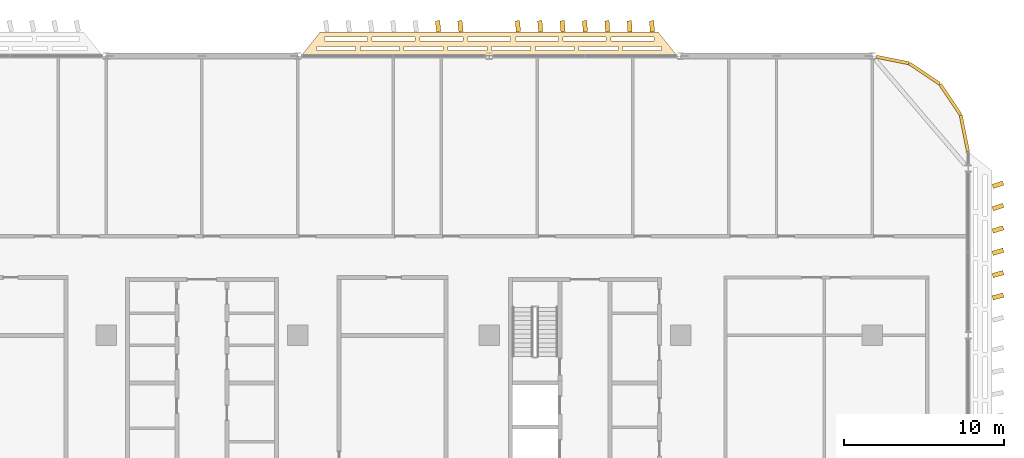
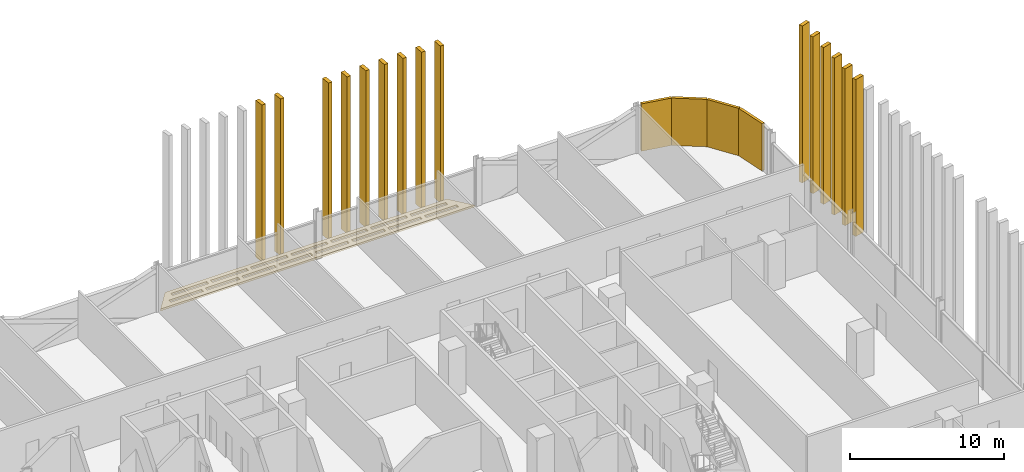
# One storey, part 32 of 32: 20 coverings.
"""IFC4 building model written with IfcOpenShell, lengths in metres."""

from ifc_helpers import new_model, si_unit, direction, frame, origin, origin_2d, place, context, subcontext, project, spatial, polyline, rectangle, outline, extrude, material, layer, layer_set, type_object, element, save


model = new_model("IFC4")

# Units and contexts
model_context = context("Model", 3, precision=1e-05, world=origin(), true_north=direction((0.0, 1.0)))
body_context = subcontext(model_context, "Body", "Model", "MODEL_VIEW")
ifc_project = project(units=[si_unit("LENGTHUNIT", "METRE"), si_unit("AREAUNIT", "SQUARE_METRE"), si_unit("VOLUMEUNIT", "CUBIC_METRE"), si_unit("PLANEANGLEUNIT", "RADIAN"), si_unit("MASSUNIT", "GRAM", prefix="KILO")], contexts=[model_context])

# Site, building, storey
site_placement = place(None, origin())
site = spatial("IfcSite", under=ifc_project, at=site_placement, CompositionType="ELEMENT")
building_placement = place(site_placement, origin())
building = spatial("IfcBuilding", under=site, at=building_placement, Name="Mahtab Terrace Research Tower", CompositionType="ELEMENT")
storey_placement = place(building_placement, frame((0.0, 0.0, 138.39990234375)))
storey = spatial("IfcBuildingStorey", under=building, at=storey_placement, Name="L32", CompositionType="ELEMENT", Elevation=138.39990234375)

# Coverings
ifc_material_1 = material(Name="Black aluminium cladding panel", Category="aluminium")
ifc_layer_1 = layer(ifc_material_1, 0.199951171875)
ifc_layer_set_1 = layer_set([ifc_layer_1], Name="Black metal corner cladding 200")
covering_type_1 = type_object("IfcCoveringType", Name="Black metal corner cladding 200", PredefinedType="CLADDING", material=ifc_layer_set_1)
for number, where, z_axis, x_axis, name in (
    (1, (46.89306640625, 26.26953125, 0.0), (0.0, 0.0, 1.0), (-0.555291490808, 0.831655794326, 0.0), "Corner cladding L32 0"),
    (2, (45.26953125, 27.89306640625, 0.0), (0.0, 0.0, 1.0), (-0.831655794326, 0.555291490808, 0.0), "Corner cladding L32 1"),
):
    element("IfcCovering", number, at=place(storey_placement, frame(where, z_axis=z_axis, x_axis=x_axis)), inside=storey, type_object=covering_type_1, Name=name, PredefinedType="CLADDING", context=body_context, shape_type="SweptSolid", body=[
        extrude(rectangle(XDim=2.30126953125, YDim=0.199951171875, at=origin_2d()), origin(), (0.0, 0.0, 1.0), 3.760009765625),
    ])
covering_1_placement = place(storey_placement, frame((43.263916015625, 28.74853515625, 0.0), z_axis=(0.0, 0.0, 1.0), x_axis=(-0.980760981187, 0.195212442692, 0.0)))
element("IfcCovering", 3, at=covering_1_placement, inside=storey, type_object=covering_type_1, Name="Corner cladding L32 2", PredefinedType="CLADDING", context=body_context, shape_type="SweptSolid", body=[
    extrude(rectangle(XDim=2.064697265625, YDim=0.199951171875, at=origin_2d()), origin(), (0.0, 0.0, 1.0), 3.760009765625),
])
covering_2_placement = place(storey_placement, frame((47.771484375, 24.14794921875, 0.0), z_axis=(0.0, 0.0, 1.0), x_axis=(-0.195212442692, 0.980760981187, 0.0)))
element("IfcCovering", 4, at=covering_2_placement, inside=storey, type_object=covering_type_1, Name="Corner cladding L32 40", PredefinedType="CLADDING", context=body_context, shape_type="SweptSolid", body=[
    extrude(rectangle(XDim=2.30126953125, YDim=0.199951171875, at=origin_2d()), origin(), (0.0, 0.0, 1.0), 3.760009765625),
])
ifc_material_2 = material(Name="Black anodised aluminium", Category="aluminium")
ifc_layer_2 = layer(ifc_material_2, 0.14990234375)
ifc_layer_set_2 = layer_set([ifc_layer_2], Name="Horizontal sunshade band")
covering_type_2 = type_object("IfcCoveringType", Name="Horizontal sunshade band", PredefinedType="CLADDING", material=ifc_layer_set_2)
covering_3_placement = place(storey_placement, frame((0.0, 0.0, -0.14990234375)))
element("IfcCovering", 5, at=covering_3_placement, inside=storey, type_object=covering_type_2, Name="Sunshade band L32 4", PredefinedType="CLADDING", context=body_context, shape_type="SweptSolid", body=[
    extrude(outline(polyline([(29.781982421875, 29.0), (6.218017578125, 29.0), (7.41796875, 30.5), (28.58203125, 30.5), (29.781982421875, 29.0)]), holes=[polyline([(28.802001953125, 29.35009765625), (26.364013671875, 29.35009765625), (26.364013671875, 29.60009765625), (28.802001953125, 29.60009765625), (28.802001953125, 29.35009765625)]), polyline([(26.06396484375, 29.35009765625), (23.6259765625, 29.35009765625), (23.6259765625, 29.60009765625), (26.06396484375, 29.60009765625), (26.06396484375, 29.35009765625)]), polyline([(23.325927734375, 29.35009765625), (20.887939453125, 29.35009765625), (20.887939453125, 29.60009765625), (23.325927734375, 29.60009765625), (23.325927734375, 29.35009765625)]), polyline([(20.587890625, 29.35009765625), (18.14990234375, 29.35009765625), (18.14990234375, 29.60009765625), (20.587890625, 29.60009765625), (20.587890625, 29.35009765625)]), polyline([(17.85009765625, 29.35009765625), (15.412109375, 29.35009765625), (15.412109375, 29.60009765625), (17.85009765625, 29.60009765625), (17.85009765625, 29.35009765625)]), polyline([(15.112060546875, 29.35009765625), (12.674072265625, 29.35009765625), (12.674072265625, 29.60009765625), (15.112060546875, 29.60009765625), (15.112060546875, 29.35009765625)]), polyline([(12.3740234375, 29.35009765625), (9.93603515625, 29.35009765625), (9.93603515625, 29.60009765625), (12.3740234375, 29.60009765625), (12.3740234375, 29.35009765625)]), polyline([(9.635986328125, 29.35009765625), (7.197998046875, 29.35009765625), (7.197998046875, 29.60009765625), (9.635986328125, 29.60009765625), (9.635986328125, 29.35009765625)]), polyline([(28.322021484375, 29.949951171875), (25.6298828125, 29.949951171875), (25.6298828125, 30.199951171875), (28.322021484375, 30.199951171875), (28.322021484375, 29.949951171875)]), polyline([(25.330078125, 29.949951171875), (22.637939453125, 29.949951171875), (22.637939453125, 30.199951171875), (25.330078125, 30.199951171875), (25.330078125, 29.949951171875)]), polyline([(22.337890625, 29.949951171875), (19.64599609375, 29.949951171875), (19.64599609375, 30.199951171875), (22.337890625, 30.199951171875), (22.337890625, 29.949951171875)]), polyline([(19.345947265625, 29.949951171875), (16.654052734375, 29.949951171875), (16.654052734375, 30.199951171875), (19.345947265625, 30.199951171875), (19.345947265625, 29.949951171875)]), polyline([(16.35400390625, 29.949951171875), (13.662109375, 29.949951171875), (13.662109375, 30.199951171875), (16.35400390625, 30.199951171875), (16.35400390625, 29.949951171875)]), polyline([(13.362060546875, 29.949951171875), (10.669921875, 29.949951171875), (10.669921875, 30.199951171875), (13.362060546875, 30.199951171875), (13.362060546875, 29.949951171875)]), polyline([(10.3701171875, 29.949951171875), (7.677978515625, 29.949951171875), (7.677978515625, 30.199951171875), (10.3701171875, 30.199951171875), (10.3701171875, 29.949951171875)])]), origin(), (0.0, 0.0, 1.0), 0.14990234375),
])
ifc_material_3 = material(Name="Bronze anodised aluminium", Category="aluminium")
ifc_layer_3 = layer(ifc_material_3, 0.1201171875)
ifc_layer_set_3 = layer_set([ifc_layer_3], Name="Vertical fin 700")
covering_type_3 = type_object("IfcCoveringType", Name="Vertical fin 700", PredefinedType="CLADDING", material=ifc_layer_set_3)
for number, where, z_axis, x_axis, name in (
    (6, (28.199951171875, 30.857421875, -0.14990234375), (0.0, 0.0, 1.0), (-0.998356138179, -0.057315105867, 0.0), "Fin L32 N1"),
    (7, (26.800048828125, 30.858154296875, -0.14990234375), (0.0, 0.0, 1.0), (-0.998005798968, -0.063122303718, 0.0), "Fin L32 N2"),
    (8, (25.39990234375, 30.85888671875, -0.14990234375), (0.0, 0.0, 1.0), (-0.997621680969, -0.068927365114, 0.0), "Fin L32 N3"),
    (9, (24.0, 30.859375, -0.14990234375), (0.0, 0.0, 1.0), (-0.997203797181, -0.074730093591, 0.0), "Fin L32 N4"),
    (10, (22.60009765625, 30.860107421875, -0.14990234375), (0.0, 0.0, 1.0), (-0.996752161751, -0.080530292716, 0.0), "Fin L32 N5"),
    (11, (21.199951171875, 30.86083984375, -0.14990234375), (0.0, 0.0, 1.0), (-0.996266789964, -0.086327766189, 0.0), "Fin L32 N6"),
    (12, (19.800048828125, 30.861328125, -0.14990234375), (0.0, 0.0, 1.0), (-0.995747698246, -0.092122317805, 0.0), "Fin L32 N7"),
    (13, (16.199951171875, 30.863037109375, -0.14990234375), (0.0, 0.0, 1.0), (-0.994258180634, -0.107007804585, 0.0), "Fin L32 N1"),
    (14, (14.800048828125, 30.863525390625, -0.14990234375), (0.0, 0.0, 1.0), (-0.993618812002, -0.112790320663, 0.0), "Fin L32 N2"),
    (15, (49.8740234375, 13.930908203125, -0.14990234375), (0.0, 0.0, 1.0), (-0.253171993123, 0.9674212846, 0.0), "Fin L32 E2"),
    (16, (49.874755859375, 15.3310546875, -0.14990234375), (0.0, 0.0, 1.0), (-0.267050399247, 0.963682564054, 0.0), "Fin L32 E3"),
    (17, (49.875244140625, 16.73095703125, -0.14990234375), (0.0, 0.0, 1.0), (-0.28087363593, 0.959744758068, 0.0), "Fin L32 E4"),
    (18, (49.875732421875, 18.131103515625, -0.14990234375), (0.0, 0.0, 1.0), (-0.294638847437, 0.955608680151, 0.0), "Fin L32 E5"),
    (19, (49.876220703125, 19.531005859375, -0.14990234375), (0.0, 0.0, 1.0), (-0.308343190039, 0.951275184769, 0.0), "Fin L32 E6"),
    (20, (49.87646484375, 20.930908203125, -0.14990234375), (0.0, 0.0, 1.0), (-0.321983832563, 0.946745167174, 0.0), "Fin L32 E7"),
):
    element("IfcCovering", number, at=place(storey_placement, frame(where, z_axis=z_axis, x_axis=x_axis)), inside=storey, type_object=covering_type_3, Name=name, PredefinedType="CLADDING", context=body_context, shape_type="SweptSolid", body=[
        extrude(rectangle(XDim=0.280029296875, YDim=0.699951171875, at=origin_2d()), origin(), (0.0, 0.0, 1.0), 12.449951171875),
    ])

save(model, "model.ifc")
